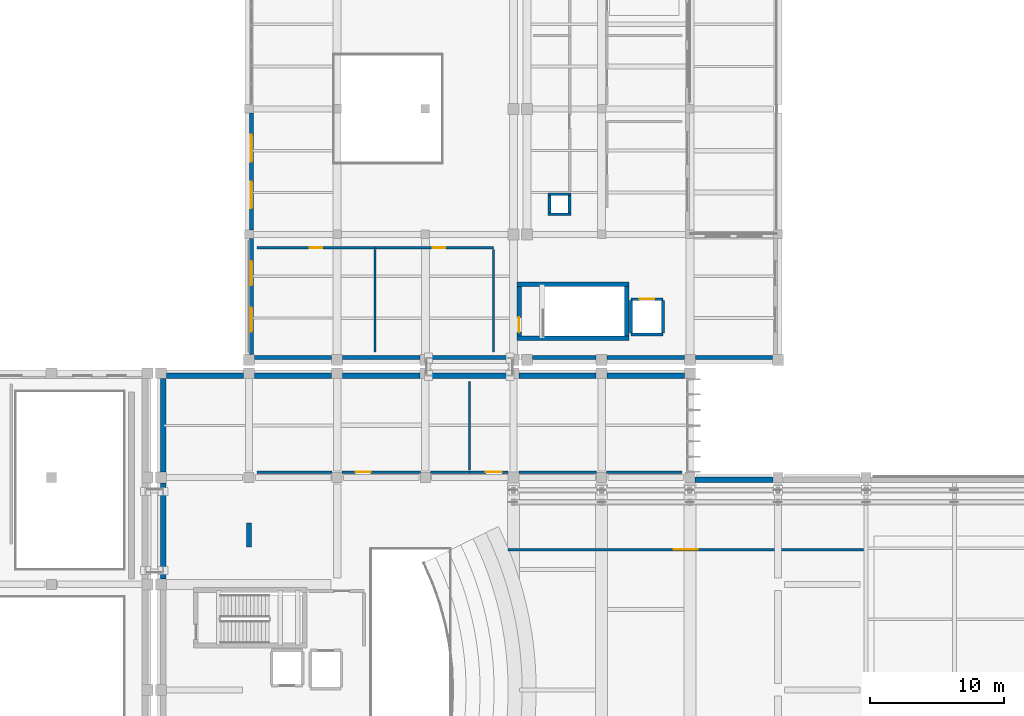
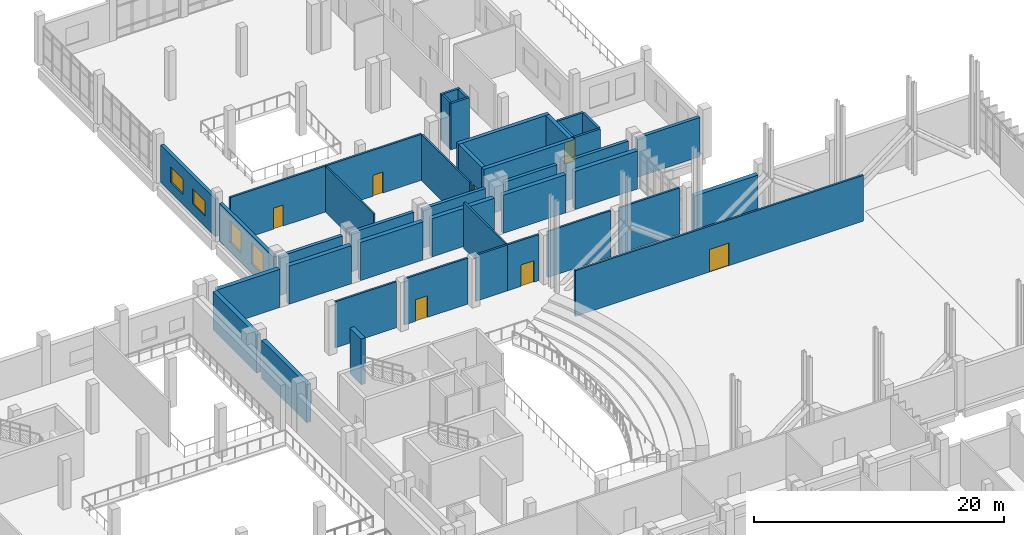
# One storey, part 55 of 73: 42 walls, 7 doors, 4 windows, 11 openings.
"""IFC4 building model written with IfcOpenShell, lengths in metres."""

import ifcopenshell
import ifcopenshell.guid

model = None  # the IFC model being written
_history = None  # IfcOwnerHistory: only IFC2X3 demands one
_inside = {}  # id of a spatial element -> (the spatial element, [elements in it])
_under = {}  # id of a project, library or spatial element -> (it, [spatial elements below it])
_declared = {}  # id of a project -> (the project, [libraries it declares])
_typed = {}  # id of a type object -> (the type object, [elements of that type])
_made_of = {}  # id of a material, layer set ... -> (it, [elements and type objects made of it])


def new_model(schema):
    """Start an empty IFC model of exactly this schema.

    Asked for "IFC4X3", IfcOpenShell would pick the latest addendum, in which some entities
    have other attributes; the version numbers below select the first issue.
    IFC2X3 requires an IfcOwnerHistory on every rooted entity: one is made here for all.
    """
    global model, _history
    if schema == "IFC4X3":
        model = ifcopenshell.file(schema_version=(4, 3, 0, 0))
    else:
        model = ifcopenshell.file(schema=schema)
    _inside.clear()
    _under.clear()
    _declared.clear()
    _typed.clear()
    _made_of.clear()
    _history = None
    if model.schema == "IFC2X3":
        org = make("IfcOrganization", Name="unknown")
        user = make(
            "IfcPersonAndOrganization",
            ThePerson=make("IfcPerson", FamilyName="unknown"),
            TheOrganization=org,
        )
        app = make(
            "IfcApplication",
            ApplicationDeveloper=org,
            Version="unknown",
            ApplicationFullName="unknown",
            ApplicationIdentifier="unknown",
        )
        _history = make(
            "IfcOwnerHistory",
            OwningUser=user,
            OwningApplication=app,
            ChangeAction="ADDED",
            CreationDate=0,
        )
    return model


def make(cls, **values):
    """One entity of the class cls with the attributes given. An attribute that is None is left unset."""
    return model.create_entity(
        cls, **{name: value for name, value in values.items() if value is not None}
    )


def rooted(cls, **values):
    """An entity with a GlobalId (a new one), such as an element, a storey or a relation."""
    return make(cls, GlobalId=ifcopenshell.guid.new(), OwnerHistory=_history, **values)


def si_unit(unit_type, name, prefix=None):
    """IfcSIUnit, for example si_unit("LENGTHUNIT", "METRE", prefix="MILLI")."""
    return make("IfcSIUnit", UnitType=unit_type, Prefix=prefix, Name=name)


def assignment(units):
    """IfcUnitAssignment: the units of a project."""
    return None if units is None else make("IfcUnitAssignment", Units=units)


def point(xyz):
    """IfcCartesianPoint."""
    return None if xyz is None else make("IfcCartesianPoint", Coordinates=xyz)


def direction(xyz):
    """IfcDirection."""
    return None if xyz is None else make("IfcDirection", DirectionRatios=xyz)


def frame(location, z_axis=None, x_axis=None):
    """IfcAxis2Placement3D, a coordinate frame: its origin and axes. An axis left out is left unset."""
    return make(
        "IfcAxis2Placement3D",
        Location=point(location),
        Axis=direction(z_axis),
        RefDirection=direction(x_axis),
    )


def frame_2d(location, x_axis=None):
    """IfcAxis2Placement2D, a coordinate frame in the plane: its origin and x axis."""
    return make(
        "IfcAxis2Placement2D", Location=point(location), RefDirection=direction(x_axis)
    )


def origin():
    """The frame at (0, 0, 0) with its axes left unset."""
    return frame((0.0, 0.0, 0.0))


def place(relative_to, where):
    """IfcLocalPlacement: puts the frame where relative to a parent placement (None: the world)."""
    return make(
        "IfcLocalPlacement", PlacementRelTo=relative_to, RelativePlacement=where
    )


def context(
    kind, dimensions, precision=None, world=None, true_north=None, identifier=None
):
    """IfcGeometricRepresentationContext, for example the 3D "Model" context."""
    return make(
        "IfcGeometricRepresentationContext",
        ContextIdentifier=identifier,
        ContextType=kind,
        CoordinateSpaceDimension=dimensions,
        Precision=precision,
        WorldCoordinateSystem=world,
        TrueNorth=true_north,
    )


def subcontext(parent, identifier, kind, view, scale=None):
    """IfcGeometricRepresentationSubContext, for example "Body" below "Model"."""
    return make(
        "IfcGeometricRepresentationSubContext",
        ContextIdentifier=identifier,
        ContextType=kind,
        ParentContext=parent,
        TargetScale=scale,
        TargetView=view,
    )


def project(units=None, contexts=None):
    """IfcProject with its units and contexts."""
    return rooted(
        "IfcProject",
        Name="project",
        RepresentationContexts=contexts,
        UnitsInContext=assignment(units),
    )


def spatial(cls, under=None, at=None, **own):
    """A site, building, storey or space (cls), placed at a placement, below another one or the project."""
    s = rooted(cls, ObjectPlacement=at, **own)
    if under is not None:
        _under.setdefault(under.id(), (under, []))[1].append(s)
    return s


def profile(cls, at=None, kind="AREA", **sizes):
    """A parametric profile (cls). Its sizes go by their IFC names, for example OverallWidth=200.0."""
    return make(cls, ProfileType=kind, Position=at, **sizes)


def rectangle(**sizes):
    """IfcRectangleProfileDef."""
    return profile("IfcRectangleProfileDef", **sizes)


def extrude(swept, where, along, depth):
    """IfcExtrudedAreaSolid: the profile swept, set in the frame where, extruded along a direction by depth."""
    return make(
        "IfcExtrudedAreaSolid",
        SweptArea=swept,
        Position=where,
        ExtrudedDirection=direction(along),
        Depth=depth,
    )


def shape(context_of_items, identifier, shape_type, items):
    """IfcShapeRepresentation: the items that make up one representation, for example the "Body"."""
    return make(
        "IfcShapeRepresentation",
        ContextOfItems=context_of_items,
        RepresentationIdentifier=identifier,
        RepresentationType=shape_type,
        Items=items,
    )


def material(Name=None, Category=None):
    """IfcMaterial."""
    return make("IfcMaterial", Name=Name, Category=Category)


def layer(
    of_material, thickness, ventilated=None, Name=None, Category=None, Priority=None
):
    """IfcMaterialLayer: one layer of a wall or slab, of a material (None: an air gap)."""
    return make(
        "IfcMaterialLayer",
        Material=of_material,
        LayerThickness=thickness,
        IsVentilated=ventilated,
        Name=Name,
        Category=Category,
        Priority=Priority,
    )


def layer_set(layers, Name=None):
    """IfcMaterialLayerSet."""
    return make("IfcMaterialLayerSet", MaterialLayers=layers, LayerSetName=Name)


def made_of(thing, what):
    """Note that an element or type object is made of a material, layer set ...; save() writes the relation."""
    if what is not None:
        _made_of.setdefault(what.id(), (what, []))[1].append(thing)
    return thing


def type_object(cls, material=None, **own):
    """A type object (cls), such as IfcWallType, which elements share."""
    return made_of(rooted(cls, **own), material)


def element(
    cls,
    number,
    at=None,
    inside=None,
    cuts=None,
    type_object=None,
    material=None,
    context=None,
    identifier="Body",
    shape_type=None,
    held_by="IfcProductDefinitionShape",
    body=None,
    shapes=None,
    **own,
):
    """One element of the class cls, such as IfcWall. Its Tag is "e" and its number.

    at: its placement. inside: the storey or other place that contains it. cuts: it is an
    opening in that element (IfcRelVoidsElement). A single representation is given by context,
    identifier, shape_type and body (its items); several are given by shapes. held_by: the class
    of the entity that holds the representations. save() writes the other relations.
    """
    e = rooted(cls, Tag="e%d" % number, ObjectPlacement=at, **own)
    if body is not None:
        shapes = [shape(context, identifier, shape_type, body)]
    if shapes is not None:
        e.Representation = make(held_by, Representations=shapes)
    if inside is not None:
        _inside.setdefault(inside.id(), (inside, []))[1].append(e)
    if cuts is not None:
        rooted(
            "IfcRelVoidsElement", RelatingBuildingElement=cuts, RelatedOpeningElement=e
        )
    if type_object is not None:
        _typed.setdefault(type_object.id(), (type_object, []))[1].append(e)
    return made_of(e, material)


def fill(opening, filler):
    """IfcRelFillsElement: the door or window that sits in an opening."""
    return rooted(
        "IfcRelFillsElement",
        RelatingOpeningElement=opening,
        RelatedBuildingElement=filler,
    )


def aggregate(whole, parts):
    """IfcRelAggregates: a whole, such as a stair, and the parts it consists of."""
    return rooted("IfcRelAggregates", RelatingObject=whole, RelatedObjects=parts)


def save(model, path):
    """Write the relations noted so far, then the file.

    IfcRelAggregates (storeys below a building ...), IfcRelContainedInSpatialStructure (elements
    in a storey), IfcRelDefinesByType, IfcRelAssociatesMaterial and IfcRelDeclares: one each for
    every whole, place, type object, material and project.
    """
    for whole, parts in _under.values():
        aggregate(whole, parts)
    for where, things in _inside.values():
        rooted(
            "IfcRelContainedInSpatialStructure",
            RelatedElements=things,
            RelatingStructure=where,
        )
    for kind, things in _typed.values():
        rooted("IfcRelDefinesByType", RelatedObjects=things, RelatingType=kind)
    for what, things in _made_of.values():
        rooted("IfcRelAssociatesMaterial", RelatedObjects=things, RelatingMaterial=what)
    for by, libraries in _declared.values():
        rooted("IfcRelDeclares", RelatingContext=by, RelatedDefinitions=libraries)
    model.write(path)


model = new_model("IFC4")

# Units and contexts
model_context = context("Model", 3, precision=1e-05, world=origin(), true_north=direction((0.0, 1.0)))
body_context = subcontext(model_context, "Body", "Model", "MODEL_VIEW")
ifc_project = project(units=[si_unit("LENGTHUNIT", "METRE"), si_unit("AREAUNIT", "SQUARE_METRE"), si_unit("VOLUMEUNIT", "CUBIC_METRE"), si_unit("PLANEANGLEUNIT", "RADIAN"), si_unit("MASSUNIT", "GRAM", prefix="KILO")], contexts=[model_context])

# Site, building, storey
site_placement = place(None, origin())
site = spatial("IfcSite", under=ifc_project, at=site_placement, CompositionType="ELEMENT")
building_placement = place(site_placement, origin())
building = spatial("IfcBuilding", under=site, at=building_placement, Name="Kelarvand Opera House", CompositionType="ELEMENT")
storey_placement = place(building_placement, frame((0.0, 0.0, 10.199951171875)))
storey = spatial("IfcBuildingStorey", under=building, at=storey_placement, Name="L02", CompositionType="ELEMENT", Elevation=10.199951171875)

# Walls
ifc_material_1 = material(Name="Concrete C35/45", Category="concrete")
ifc_layer_1 = layer(ifc_material_1, 0.39990234375, Name="Concrete C35/45", Category="concrete")
ifc_layer_set_1 = layer_set([ifc_layer_1], Name="Concrete C35/45")
wall_type_1 = type_object("IfcWallType", Name="Acoustic Brick-Travertine Double Wall 400", PredefinedType="SOLIDWALL", material=ifc_layer_set_1)
wall_1_placement = place(storey_placement, frame((89.179931640625, 70.81005859375, 0.0), z_axis=(0.0, 0.0, 1.0), x_axis=(0.0, 1.0, 0.0)))
element("IfcWall", 1, at=wall_1_placement, inside=storey, type_object=wall_type_1, Name="V1 L02 Exterior Wall EW-400 (115)", PredefinedType="SOLIDWALL", context=body_context, shape_type="SweptSolid", body=[
    extrude(rectangle(XDim=7.179931640625, YDim=0.39990234375, at=frame_2d((3.58984375, 0.0))), origin(), (0.0, 0.0, 1.0), 3.72216796875),
])
wall_2_placement = place(storey_placement, frame((89.179931640625, 78.81005859375, 0.0), z_axis=(0.0, 0.0, 1.0), x_axis=(0.0, 1.0, 0.0)))
element("IfcWall", 2, at=wall_2_placement, inside=storey, type_object=wall_type_1, Name="V1 L02 Exterior Wall EW-400 (116)", PredefinedType="SOLIDWALL", context=body_context, shape_type="SweptSolid", body=[
    extrude(rectangle(XDim=6.97998046875, YDim=0.39990234375, at=frame_2d((3.489990234375, 0.0))), origin(), (0.0, 0.0, 1.0), 3.72216796875),
])
for number, where, z_axis, x_axis, name in (
    (3, (89.409912109375, 86.02001953125, 0.0), (0.0, 0.0, 1.0), (1.0, 0.0, 0.0), "V1 L02 Exterior Wall EW-400 (117)"),
    (4, (96.010009765625, 86.02001953125, 0.0), (0.0, 0.0, 1.0), (1.0, 0.0, 0.0), "V1 L02 Exterior Wall EW-400 (118)"),
):
    element("IfcWall", number, at=place(storey_placement, frame(where, z_axis=z_axis, x_axis=x_axis)), inside=storey, type_object=wall_type_1, Name=name, PredefinedType="SOLIDWALL", context=body_context, shape_type="SweptSolid", body=[
        extrude(rectangle(XDim=5.780029296875, YDim=0.39990234375, at=frame_2d((2.89013671875, 0.0))), origin(), (0.0, 0.0, 1.0), 3.72216796875),
    ])
wall_3_placement = place(storey_placement, frame((102.610107421875, 86.02001953125, 0.0), z_axis=(0.0, 0.0, 1.0), x_axis=(1.0, 0.0, 0.0)))
element("IfcWall", 5, at=wall_3_placement, inside=storey, type_object=wall_type_1, Name="V1 L02 Exterior Wall EW-400 (119)", PredefinedType="SOLIDWALL", context=body_context, shape_type="SweptSolid", body=[
    extrude(rectangle(XDim=5.77978515625, YDim=0.39990234375, at=frame_2d((2.889892578125, 0.0))), origin(), (0.0, 0.0, 1.0), 3.72216796875),
])
for number, where, z_axis, x_axis, name in (
    (6, (109.2099609375, 86.02001953125, 0.0), (0.0, 0.0, 1.0), (1.0, 0.0, 0.0), "V1 L02 Exterior Wall EW-400 (120)"),
    (7, (115.81005859375, 86.02001953125, 0.0), (0.0, 0.0, 1.0), (1.0, 0.0, 0.0), "V1 L02 Exterior Wall EW-400 (121)"),
    (8, (122.409912109375, 86.02001953125, 0.0), (0.0, 0.0, 1.0), (1.0, 0.0, 0.0), "V1 L02 Exterior Wall EW-400 (122)"),
):
    element("IfcWall", number, at=place(storey_placement, frame(where, z_axis=z_axis, x_axis=x_axis)), inside=storey, type_object=wall_type_1, Name=name, PredefinedType="SOLIDWALL", context=body_context, shape_type="SweptSolid", body=[
        extrude(rectangle(XDim=5.780029296875, YDim=0.39990234375, at=frame_2d((2.89013671875, 0.0))), origin(), (0.0, 0.0, 1.0), 3.72216796875),
    ])
wall_4_placement = place(storey_placement, frame((128.97509765625, 78.219970703125, 0.0), z_axis=(0.0, 0.0, 1.0), x_axis=(1.0, 0.0, 0.0)))
element("IfcWall", 9, at=wall_4_placement, inside=storey, type_object=wall_type_1, Name="V1 L02 Exterior Wall EW-400 (123)", PredefinedType="SOLIDWALL", context=body_context, shape_type="SweptSolid", body=[
    extrude(rectangle(XDim=5.849853515625, YDim=0.39990234375, at=frame_2d((2.9248046875, 0.0))), origin(), (0.0, 0.0, 1.0), 3.77197265625),
])
ifc_material_2 = material(Name="Acoustic double-stud gypsum partition")
ifc_layer_2 = layer(ifc_material_2, 0.14990234375, Name="Acoustic double-stud gypsum partition")
ifc_layer_set_2 = layer_set([ifc_layer_2], Name="Acoustic double-stud gypsum partition")
wall_type_2 = type_object("IfcWallType", Name="Acoustic Room Partition Wall 150", PredefinedType="PARTITIONING", material=ifc_layer_set_2)
wall_5_placement = place(storey_placement, frame((112.10009765625, 78.93994140625, 0.0), z_axis=(0.0, 0.0, 1.0), x_axis=(0.0, 1.0, 0.0)))
element("IfcWall", 10, at=wall_5_placement, inside=storey, type_object=wall_type_2, Name="V1 L02 Partition Wall IW-150 (487)", PredefinedType="PARTITIONING", context=body_context, shape_type="SweptSolid", body=[
    extrude(rectangle(XDim=6.66015625, YDim=0.14990234375, at=frame_2d((3.330078125, 0.0))), origin(), (0.0, 0.0, 1.0), 4.491943359375),
])
for number, where, z_axis, x_axis, name in (
    (11, (105.050048828125, 87.800048828125, 0.0), (0.0, 0.0, 1.0), (0.0, 1.0, 0.0), "V5 L02 Partition Wall IW-150 (526)"),
    (12, (113.89990234375, 87.800048828125, 0.0), (0.0, 0.0, 1.0), (0.0, 1.0, 0.0), "V5 L02 Partition Wall IW-150 (527)"),
):
    element("IfcWall", number, at=place(storey_placement, frame(where, z_axis=z_axis, x_axis=x_axis)), inside=storey, type_object=wall_type_2, Name=name, PredefinedType="PARTITIONING", context=body_context, shape_type="SweptSolid", body=[
        extrude(rectangle(XDim=7.659912109375, YDim=0.14990234375, at=frame_2d((3.830078125, 0.0))), origin(), (0.0, 0.0, 1.0), 4.491943359375),
    ])
ifc_material_3 = material(Name="Concrete C40/50", Category="concrete")
ifc_layer_3 = layer(ifc_material_3, 0.35009765625, Name="Concrete C40/50", Category="concrete")
ifc_layer_set_3 = layer_set([ifc_layer_3], Name="Concrete C40/50")
wall_type_3 = type_object("IfcWallType", Name="Core Stair and Lift Shear Wall 350", PredefinedType="SHEAR", material=ifc_layer_set_3)
for number, where, z_axis, x_axis, name in (
    (13, (115.64990234375, 88.824951171875, 0.0), (0.0, 0.0, 1.0), (1.0, 0.0, 0.0), "C7 Stair Core Shear Wall S L02"),
    (14, (124.050048828125, 92.875, 0.0), (0.0, 0.0, 1.0), (-1.0, 0.0, 0.0), "C7 Stair Core Shear Wall N L02"),
):
    element("IfcWall", number, at=place(storey_placement, frame(where, z_axis=z_axis, x_axis=x_axis)), inside=storey, type_object=wall_type_3, Name=name, PredefinedType="SHEAR", context=body_context, shape_type="SweptSolid", body=[
        extrude(rectangle(XDim=8.400146484375, YDim=0.35009765625, at=frame_2d((4.2001953125, 0.0))), origin(), (0.0, 0.0, 1.0), 4.580078125),
    ])

# Wall, opening, door
wall_6_placement = place(storey_placement, frame((115.824951171875, 89.0, 0.0), z_axis=(0.0, 0.0, 1.0), x_axis=(0.0, 1.0, 0.0)))
wall_6 = element("IfcWall", 15, at=wall_6_placement, inside=storey, type_object=wall_type_3, Name="C7 Stair Core Shear Wall W L02", PredefinedType="SHEAR", context=body_context, shape_type="SweptSolid", body=[
    extrude(rectangle(XDim=3.699951171875, YDim=0.35009765625, at=frame_2d((1.85009765625, 0.0))), origin(), (0.0, 0.0, 1.0), 4.580078125),
])
opening_1_placement = place(wall_6_placement, frame((0.280029296875, 0.0, 0.0)))
opening_1 = element("IfcOpeningElement", 16, at=opening_1_placement, cuts=wall_6, Name="Opening FD-01", PredefinedType="OPENING", context=body_context, shape_type="SweptSolid", body=[
    extrude(rectangle(XDim=1.10009765625, YDim=2.080078125, at=frame_2d((0.550048828125, 1.0400390625))), frame((0.0, 0.18505859375, 0.0), z_axis=(0.0, -1.0, 0.0), x_axis=(1.0, 0.0, 0.0)), (0.0, 0.0, 1.0), 0.3701171875),
])
ifc_material_4 = material(Name="Fire-rated brushed stainless steel", Category="steel")
door_type_1 = type_object("IfcDoorType", Name="Steel Fire-Rated Stair and FF Lobby Door 1100x2080", OperationType="NOTDEFINED", PredefinedType="DOOR", material=ifc_material_4)
door_1_placement = place(opening_1_placement, origin())
door_1 = element("IfcDoor", 17, at=door_1_placement, inside=storey, type_object=door_type_1, Name="C7 Stair ST-07 Fire Door L02", OperationType="SINGLE_SWING_LEFT", OverallHeight=2.080078125, OverallWidth=1.10009765625, PredefinedType="DOOR", context=body_context, shape_type="SweptSolid", body=[
    extrude(rectangle(XDim=1.10009765625, YDim=2.080078125, at=frame_2d((0.550048828125, 1.0400390625))), frame((0.0, 0.02490234375, 0.0), z_axis=(0.0, -1.0, 0.0), x_axis=(1.0, 0.0, 0.0)), (0.0, 0.0, 1.0), 0.050048828125),
])
fill(opening_1, door_1)

# Wall
wall_7_placement = place(storey_placement, frame((123.875, 92.699951171875, 0.0), z_axis=(0.0, 0.0, 1.0), x_axis=(0.0, -1.0, 0.0)))
element("IfcWall", 18, at=wall_7_placement, inside=storey, type_object=wall_type_3, Name="C7 Stair Core Shear Wall E L02", PredefinedType="SHEAR", context=body_context, shape_type="SweptSolid", body=[
    extrude(rectangle(XDim=3.699951171875, YDim=0.35009765625, at=frame_2d((1.85009765625, 0.0))), origin(), (0.0, 0.0, 1.0), 4.580078125),
])

# Wall, opening, door
ifc_layer_4 = layer(ifc_material_1, 0.179931640625, Name="Concrete C35/45", Category="concrete")
ifc_layer_set_4 = layer_set([ifc_layer_4], Name="Concrete C35/45")
wall_type_4 = type_object("IfcWallType", Name="Corridor Fire-Rated Partition Wall 180 EI90", PredefinedType="PARTITIONING", material=ifc_layer_set_4)
wall_8_placement = place(storey_placement, frame((115.0, 73.0, 0.0), z_axis=(0.0, 0.0, 1.0), x_axis=(1.0, 0.0, 0.0)))
wall_8 = element("IfcWall", 19, at=wall_8_placement, inside=storey, type_object=wall_type_4, Name="V1 L02 Partition Wall IW-90 (474)", PredefinedType="PARTITIONING", context=body_context, shape_type="SweptSolid", body=[
    extrude(rectangle(XDim=26.60009765625, YDim=0.179931640625, at=frame_2d((13.300048828125, 0.0))), origin(), (0.0, 0.0, 1.0), 4.47216796875),
])
opening_2_placement = place(wall_8_placement, frame((12.39990234375, 0.0, 0.0)))
opening_2 = element("IfcOpeningElement", 20, at=opening_2_placement, cuts=wall_8, Name="Opening D-04", PredefinedType="OPENING", context=body_context, shape_type="SweptSolid", body=[
    extrude(rectangle(XDim=1.800048828125, YDim=2.199951171875, at=frame_2d((0.89990234375, 1.10009765625))), frame((0.0, 0.10009765625, 0.0), z_axis=(0.0, -1.0, 0.0), x_axis=(1.0, 0.0, 0.0)), (0.0, 0.0, 1.0), 0.199951171875),
])
ifc_material_5 = material(Name="Acoustic walnut-veneered hardwood", Category="wood")
door_type_2 = type_object("IfcDoorType", Name="Auditorium Acoustic Sound-Lock Double Door 1800x2200", OperationType="NOTDEFINED", PredefinedType="DOOR", material=ifc_material_5)
door_2_placement = place(opening_2_placement, origin())
door_2 = element("IfcDoor", 21, at=door_2_placement, inside=storey, type_object=door_type_2, Name="V1 L02 Door D-04 (208)", OperationType="DOUBLE_DOOR_SINGLE_SWING", OverallHeight=2.199951171875, OverallWidth=1.800048828125, PredefinedType="DOOR", context=body_context, shape_type="SweptSolid", body=[
    extrude(rectangle(XDim=1.800048828125, YDim=2.199951171875, at=frame_2d((0.89990234375, 1.10009765625))), frame((0.0, 0.02490234375, 0.0), z_axis=(0.0, -1.0, 0.0), x_axis=(1.0, 0.0, 0.0)), (0.0, 0.0, 1.0), 0.050048828125),
])
fill(opening_2, door_2)

# Wall
wall_9_placement = place(storey_placement, frame((96.199951171875, 78.800048828125, 0.0), z_axis=(0.0, 0.0, 1.0), x_axis=(1.0, 0.0, 0.0)))
element("IfcWall", 22, at=wall_9_placement, inside=storey, type_object=wall_type_4, Name="V1 L02 Partition Wall IW-90 (484)", PredefinedType="PARTITIONING", context=body_context, shape_type="SweptSolid", body=[
    extrude(rectangle(XDim=5.625, YDim=0.179931640625, at=frame_2d((2.8125, 0.0))), origin(), (0.0, 0.0, 1.0), 4.491943359375),
])

# Wall, opening, door
wall_10_placement = place(storey_placement, frame((102.574951171875, 78.800048828125, 0.0), z_axis=(0.0, 0.0, 1.0), x_axis=(1.0, 0.0, 0.0)))
wall_10 = element("IfcWall", 23, at=wall_10_placement, inside=storey, type_object=wall_type_4, Name="V1 L02 Partition Wall IW-90 (485)", PredefinedType="PARTITIONING", context=body_context, shape_type="SweptSolid", body=[
    extrude(rectangle(XDim=5.85009765625, YDim=0.179931640625, at=frame_2d((2.925048828125, 0.0))), origin(), (0.0, 0.0, 1.0), 4.491943359375),
])
opening_3_placement = place(wall_10_placement, frame((1.014892578125, 0.0, 0.0)))
opening_3 = element("IfcOpeningElement", 24, at=opening_3_placement, cuts=wall_10, Name="Opening D-10", PredefinedType="OPENING", context=body_context, shape_type="SweptSolid", body=[
    extrude(rectangle(XDim=1.1201171875, YDim=2.1201171875, at=frame_2d((0.56005859375, 1.06005859375))), frame((0.0, 0.10009765625, 0.0), z_axis=(0.0, -1.0, 0.0), x_axis=(1.0, 0.0, 0.0)), (0.0, 0.0, 1.0), 0.199951171875),
])
door_type_3 = type_object("IfcDoorType", Name="Chorus Studio Single Door 1120x2120", OperationType="NOTDEFINED", PredefinedType="DOOR", material=ifc_material_5)
door_3_placement = place(opening_3_placement, origin())
door_3 = element("IfcDoor", 25, at=door_3_placement, inside=storey, type_object=door_type_3, Name="V1 L02 Door D-10 (214)", OperationType="SINGLE_SWING_LEFT", OverallHeight=2.1201171875, OverallWidth=1.1201171875, PredefinedType="DOOR", context=body_context, shape_type="SweptSolid", body=[
    extrude(rectangle(XDim=1.1201171875, YDim=2.1201171875, at=frame_2d((0.56005859375, 1.06005859375))), frame((0.0, 0.02490234375, 0.0), z_axis=(0.0, -1.0, 0.0), x_axis=(1.0, 0.0, 0.0)), (0.0, 0.0, 1.0), 0.050048828125),
])
fill(opening_3, door_3)

# Wall
wall_11_placement = place(storey_placement, frame((109.175048828125, 78.800048828125, 0.0), z_axis=(0.0, 0.0, 1.0), x_axis=(1.0, 0.0, 0.0)))
element("IfcWall", 26, at=wall_11_placement, inside=storey, type_object=wall_type_4, Name="V1 L02 Partition Wall IW-90 (486)", PredefinedType="PARTITIONING", context=body_context, shape_type="SweptSolid", body=[
    extrude(rectangle(XDim=2.925048828125, YDim=0.179931640625, at=frame_2d((1.46240234375, 0.0))), origin(), (0.0, 0.0, 1.0), 4.491943359375),
])

# Wall, opening, door
wall_12_placement = place(storey_placement, frame((112.10009765625, 78.800048828125, 0.0), z_axis=(0.0, 0.0, 1.0), x_axis=(1.0, 0.0, 0.0)))
wall_12 = element("IfcWall", 27, at=wall_12_placement, inside=storey, type_object=wall_type_4, Name="V1 L02 Partition Wall IW-90 (488)", PredefinedType="PARTITIONING", context=body_context, shape_type="SweptSolid", body=[
    extrude(rectangle(XDim=2.889892578125, YDim=0.179931640625, at=frame_2d((1.44482421875, 0.0))), origin(), (0.0, 0.0, 1.0), 4.491943359375),
])
opening_4_placement = place(wall_12_placement, frame((1.22802734375, 0.0, 0.0)))
opening_4 = element("IfcOpeningElement", 28, at=opening_4_placement, cuts=wall_12, Name="Opening D-06", PredefinedType="OPENING", context=body_context, shape_type="SweptSolid", body=[
    extrude(rectangle(XDim=1.199951171875, YDim=2.10009765625, at=frame_2d((0.60009765625, 1.050048828125))), frame((0.0, 0.10009765625, 0.0), z_axis=(0.0, -1.0, 0.0), x_axis=(1.0, 0.0, 0.0)), (0.0, 0.0, 1.0), 0.199951171875),
])
door_type_4 = type_object("IfcDoorType", Name="Accessible Suite Timber Door 1200x2100", OperationType="NOTDEFINED", PredefinedType="DOOR", material=ifc_material_5)
door_4_placement = place(opening_4_placement, origin())
door_4 = element("IfcDoor", 29, at=door_4_placement, inside=storey, type_object=door_type_4, Name="V1 L02 Door D-06 (215)", OperationType="SINGLE_SWING_RIGHT", OverallHeight=2.10009765625, OverallWidth=1.199951171875, PredefinedType="DOOR", context=body_context, shape_type="SweptSolid", body=[
    extrude(rectangle(XDim=1.199951171875, YDim=2.10009765625, at=frame_2d((0.60009765625, 1.050048828125))), frame((0.0, 0.02490234375, 0.0), z_axis=(0.0, -1.0, 0.0), x_axis=(1.0, 0.0, 0.0)), (0.0, 0.0, 1.0), 0.050048828125),
])
fill(opening_4, door_4)

# Walls
wall_13_placement = place(storey_placement, frame((115.81005859375, 78.800048828125, 0.0), z_axis=(0.0, 0.0, 1.0), x_axis=(1.0, 0.0, 0.0)))
element("IfcWall", 30, at=wall_13_placement, inside=storey, type_object=wall_type_4, Name="V1 L02 Partition Wall IW-90 (489)", PredefinedType="PARTITIONING", context=body_context, shape_type="SweptSolid", body=[
    extrude(rectangle(XDim=5.81494140625, YDim=0.179931640625, at=frame_2d((2.907470703125, 0.0))), origin(), (0.0, 0.0, 1.0), 4.491943359375),
])
wall_14_placement = place(storey_placement, frame((122.375, 78.800048828125, 0.0), z_axis=(0.0, 0.0, 1.0), x_axis=(1.0, 0.0, 0.0)))
element("IfcWall", 31, at=wall_14_placement, inside=storey, type_object=wall_type_4, Name="V1 L02 Partition Wall IW-90 (490)", PredefinedType="PARTITIONING", context=body_context, shape_type="SweptSolid", body=[
    extrude(rectangle(XDim=5.625, YDim=0.179931640625, at=frame_2d((2.8125, 0.0))), origin(), (0.0, 0.0, 1.0), 4.491943359375),
])

# Wall, opening, door
wall_15_placement = place(storey_placement, frame((96.199951171875, 95.60009765625, 0.0), z_axis=(0.0, 0.0, 1.0), x_axis=(1.0, 0.0, 0.0)))
wall_15 = element("IfcWall", 32, at=wall_15_placement, inside=storey, type_object=wall_type_4, Name="V5 L02 Partition Wall IW-90 (525)", PredefinedType="PARTITIONING", context=body_context, shape_type="SweptSolid", body=[
    extrude(rectangle(XDim=8.85009765625, YDim=0.179931640625, at=frame_2d((4.425048828125, 0.0))), origin(), (0.0, 0.0, 1.0), 4.491943359375),
])
opening_5_placement = place(wall_15_placement, frame((3.965087890625, 0.0, 0.0)))
opening_5 = element("IfcOpeningElement", 33, at=opening_5_placement, cuts=wall_15, Name="Opening D-01", PredefinedType="OPENING", context=body_context, shape_type="SweptSolid", body=[
    extrude(rectangle(XDim=0.919921875, YDim=2.050048828125, at=frame_2d((0.4599609375, 1.02490234375))), frame((0.0, 0.10009765625, 0.0), z_axis=(0.0, -1.0, 0.0), x_axis=(1.0, 0.0, 0.0)), (0.0, 0.0, 1.0), 0.199951171875),
])
door_type_5 = type_object("IfcDoorType", Name="Solid Timber Dressing and WC Door 920x2050", OperationType="NOTDEFINED", PredefinedType="DOOR", material=ifc_material_5)
door_5_placement = place(opening_5_placement, origin())
door_5 = element("IfcDoor", 34, at=door_5_placement, inside=storey, type_object=door_type_5, Name="V5 L02 Door D-01 (235)", OperationType="SINGLE_SWING_LEFT", OverallHeight=2.050048828125, OverallWidth=0.919921875, PredefinedType="DOOR", context=body_context, shape_type="SweptSolid", body=[
    extrude(rectangle(XDim=0.919921875, YDim=2.050048828125, at=frame_2d((0.4599609375, 1.02490234375))), frame((0.0, 0.02490234375, 0.0), z_axis=(0.0, -1.0, 0.0), x_axis=(1.0, 0.0, 0.0)), (0.0, 0.0, 1.0), 0.050048828125),
])
fill(opening_5, door_5)

wall_16_placement = place(storey_placement, frame((105.050048828125, 95.60009765625, 0.0), z_axis=(0.0, 0.0, 1.0), x_axis=(1.0, 0.0, 0.0)))
wall_16 = element("IfcWall", 35, at=wall_16_placement, inside=storey, type_object=wall_type_4, Name="V5 L02 Partition Wall IW-90 (528)", PredefinedType="PARTITIONING", context=body_context, shape_type="SweptSolid", body=[
    extrude(rectangle(XDim=8.849853515625, YDim=0.179931640625, at=frame_2d((4.4248046875, 0.0))), origin(), (0.0, 0.0, 1.0), 4.491943359375),
])
opening_6_placement = place(wall_16_placement, frame((4.318115234375, 0.0, 0.0)))
opening_6 = element("IfcOpeningElement", 36, at=opening_6_placement, cuts=wall_16, Name="Opening D-01", PredefinedType="OPENING", context=body_context, shape_type="SweptSolid", body=[
    extrude(rectangle(XDim=0.919921875, YDim=2.050048828125, at=frame_2d((0.4599609375, 1.02490234375))), frame((0.0, 0.10009765625, 0.0), z_axis=(0.0, -1.0, 0.0), x_axis=(1.0, 0.0, 0.0)), (0.0, 0.0, 1.0), 0.199951171875),
])
door_6_placement = place(opening_6_placement, origin())
door_6 = element("IfcDoor", 37, at=door_6_placement, inside=storey, type_object=door_type_5, Name="V5 L02 Door D-01 (236)", OperationType="SINGLE_SWING_RIGHT", OverallHeight=2.050048828125, OverallWidth=0.919921875, PredefinedType="DOOR", context=body_context, shape_type="SweptSolid", body=[
    extrude(rectangle(XDim=0.919921875, YDim=2.050048828125, at=frame_2d((0.4599609375, 1.02490234375))), frame((0.0, 0.02490234375, 0.0), z_axis=(0.0, -1.0, 0.0), x_axis=(1.0, 0.0, 0.0)), (0.0, 0.0, 1.0), 0.050048828125),
])
fill(opening_6, door_6)

# Walls
ifc_layer_5 = layer(ifc_material_1, 0.300048828125, Name="Concrete C35/45", Category="concrete")
ifc_layer_set_5 = layer_set([ifc_layer_5], Name="Concrete C35/45")
wall_type_5 = type_object("IfcWallType", Name="Insulated Buff Brick Facade Wall 300", PredefinedType="SOLIDWALL", material=ifc_layer_set_5)
for number, where, z_axis, x_axis, name in (
    (38, (134.7900390625, 87.3798828125, 0.0), (0.0, 0.0, 1.0), (-1.0, 0.0, 0.0), "V5 L02 Exterior Wall EW-300 (619)"),
    (39, (128.18994140625, 87.3798828125, 0.0), (0.0, 0.0, 1.0), (-1.0, 0.0, 0.0), "V5 L02 Exterior Wall EW-300 (620)"),
):
    element("IfcWall", number, at=place(storey_placement, frame(where, z_axis=z_axis, x_axis=x_axis)), inside=storey, type_object=wall_type_5, Name=name, PredefinedType="SOLIDWALL", context=body_context, shape_type="SweptSolid", body=[
        extrude(rectangle(XDim=5.780029296875, YDim=0.300048828125, at=frame_2d((2.89013671875, 0.0))), origin(), (0.0, 0.0, 1.0), 3.822021484375),
    ])
wall_17_placement = place(storey_placement, frame((121.590087890625, 87.3798828125, 0.0), z_axis=(0.0, 0.0, 1.0), x_axis=(-1.0, 0.0, 0.0)))
element("IfcWall", 40, at=wall_17_placement, inside=storey, type_object=wall_type_5, Name="V5 L02 Exterior Wall EW-300 (621)", PredefinedType="SOLIDWALL", context=body_context, shape_type="SweptSolid", body=[
    extrude(rectangle(XDim=4.780029296875, YDim=0.300048828125, at=frame_2d((2.39013671875, 0.0))), origin(), (0.0, 0.0, 1.0), 3.822021484375),
])
wall_18_placement = place(storey_placement, frame((114.989990234375, 87.3798828125, 0.0), z_axis=(0.0, 0.0, 1.0), x_axis=(-1.0, 0.0, 0.0)))
element("IfcWall", 41, at=wall_18_placement, inside=storey, type_object=wall_type_5, Name="V5 L02 Exterior Wall EW-300 (622)", PredefinedType="SOLIDWALL", context=body_context, shape_type="SweptSolid", body=[
    extrude(rectangle(XDim=5.780029296875, YDim=0.300048828125, at=frame_2d((2.89013671875, 0.0))), origin(), (0.0, 0.0, 1.0), 3.822021484375),
])
wall_19_placement = place(storey_placement, frame((108.389892578125, 87.3798828125, 0.0), z_axis=(0.0, 0.0, 1.0), x_axis=(-1.0, 0.0, 0.0)))
element("IfcWall", 42, at=wall_19_placement, inside=storey, type_object=wall_type_5, Name="V5 L02 Exterior Wall EW-300 (623)", PredefinedType="SOLIDWALL", context=body_context, shape_type="SweptSolid", body=[
    extrude(rectangle(XDim=5.77978515625, YDim=0.300048828125, at=frame_2d((2.889892578125, 0.0))), origin(), (0.0, 0.0, 1.0), 3.822021484375),
])
wall_20_placement = place(storey_placement, frame((101.7900390625, 87.3798828125, 0.0), z_axis=(0.0, 0.0, 1.0), x_axis=(-1.0, 0.0, 0.0)))
element("IfcWall", 43, at=wall_20_placement, inside=storey, type_object=wall_type_5, Name="V5 L02 Exterior Wall EW-300 (624)", PredefinedType="SOLIDWALL", context=body_context, shape_type="SweptSolid", body=[
    extrude(rectangle(XDim=5.780029296875, YDim=0.300048828125, at=frame_2d((2.89013671875, 0.0))), origin(), (0.0, 0.0, 1.0), 3.822021484375),
])

# Wall, openings, windows
wall_21_placement = place(storey_placement, frame((95.780029296875, 87.610107421875, 0.0), z_axis=(0.0, 0.0, 1.0), x_axis=(0.0, 1.0, 0.0)))
wall_21 = element("IfcWall", 44, at=wall_21_placement, inside=storey, type_object=wall_type_5, Name="V5 L02 Exterior Wall EW-300 (625)", PredefinedType="SOLIDWALL", context=body_context, shape_type="SweptSolid", body=[
    extrude(rectangle(XDim=8.664794921875, YDim=0.300048828125, at=frame_2d((4.33251953125, 0.0))), origin(), (0.0, 0.0, 1.0), 3.672119140625),
])
opening_7_placement = place(wall_21_placement, frame((1.699951171875, 0.0, 0.89990234375)))
opening_7 = element("IfcOpeningElement", 45, at=opening_7_placement, cuts=wall_21, Name="Opening WN-05", PredefinedType="OPENING", context=body_context, shape_type="SweptSolid", body=[
    extrude(rectangle(XDim=1.800048828125, YDim=2.10009765625, at=frame_2d((0.89990234375, 1.050048828125))), frame((0.0, 0.16015625, 0.0), z_axis=(0.0, -1.0, 0.0), x_axis=(1.0, 0.0, 0.0)), (0.0, 0.0, 1.0), 0.320068359375),
])
opening_8_placement = place(wall_21_placement, frame((5.166015625, 0.0, 0.89990234375)))
opening_8 = element("IfcOpeningElement", 46, at=opening_8_placement, cuts=wall_21, Name="Opening WN-05", PredefinedType="OPENING", context=body_context, shape_type="SweptSolid", body=[
    extrude(rectangle(XDim=1.800048828125, YDim=2.10009765625, at=frame_2d((0.89990234375, 1.050048828125))), frame((0.0, 0.16015625, 0.0), z_axis=(0.0, -1.0, 0.0), x_axis=(1.0, 0.0, 0.0)), (0.0, 0.0, 1.0), 0.320068359375),
])
ifc_material_6 = material(Name="Thermally broken aluminium and low-E double glazing", Category="aluminium")
window_type_1 = type_object("IfcWindowType", Name="Recessed Aluminium Thermal Window 1800x2100 WN-05", PartitioningType="SINGLE_PANEL", PredefinedType="WINDOW", material=ifc_material_6)
window_1_placement = place(opening_7_placement, origin())
window_1 = element("IfcWindow", 47, at=window_1_placement, inside=storey, type_object=window_type_1, Name="V5 L02 Facade Window WN-05 (294)", OverallHeight=2.10009765625, OverallWidth=1.800048828125, PartitioningType="SINGLE_PANEL", PredefinedType="WINDOW", context=body_context, shape_type="SweptSolid", body=[
    extrude(rectangle(XDim=1.800048828125, YDim=2.10009765625, at=frame_2d((0.89990234375, 1.050048828125))), frame((0.0, 0.030029296875, 0.0), z_axis=(0.0, -1.0, 0.0), x_axis=(1.0, 0.0, 0.0)), (0.0, 0.0, 1.0), 0.06005859375),
])
fill(opening_7, window_1)
window_2_placement = place(opening_8_placement, origin())
window_2 = element("IfcWindow", 48, at=window_2_placement, inside=storey, type_object=window_type_1, Name="V5 L02 Facade Window WN-05 (295)", OverallHeight=2.10009765625, OverallWidth=1.800048828125, PartitioningType="SINGLE_PANEL", PredefinedType="WINDOW", context=body_context, shape_type="SweptSolid", body=[
    extrude(rectangle(XDim=1.800048828125, YDim=2.10009765625, at=frame_2d((0.89990234375, 1.050048828125))), frame((0.0, 0.030029296875, 0.0), z_axis=(0.0, -1.0, 0.0), x_axis=(1.0, 0.0, 0.0)), (0.0, 0.0, 1.0), 0.06005859375),
])
fill(opening_8, window_2)

wall_22_placement = place(storey_placement, frame((95.780029296875, 96.925048828125, 0.0), z_axis=(0.0, 0.0, 1.0), x_axis=(0.0, 1.0, 0.0)))
wall_22 = element("IfcWall", 49, at=wall_22_placement, inside=storey, type_object=wall_type_5, Name="V5 L02 Exterior Wall EW-300 (626)", PredefinedType="SOLIDWALL", context=body_context, shape_type="SweptSolid", body=[
    extrude(rectangle(XDim=8.75, YDim=0.300048828125, at=frame_2d((4.375, 0.0))), origin(), (0.0, 0.0, 1.0), 3.672119140625),
])
opening_9_placement = place(wall_22_placement, frame((1.625, 0.0, 1.0)))
opening_9 = element("IfcOpeningElement", 50, at=opening_9_placement, cuts=wall_22, Name="Opening WN-28", PredefinedType="OPENING", context=body_context, shape_type="SweptSolid", body=[
    extrude(rectangle(XDim=2.0, YDim=1.5, at=frame_2d((1.0, 0.75))), frame((0.0, 0.16015625, 0.0), z_axis=(0.0, -1.0, 0.0), x_axis=(1.0, 0.0, 0.0)), (0.0, 0.0, 1.0), 0.320068359375),
])
opening_10_placement = place(wall_22_placement, frame((5.125, 0.0, 1.0)))
opening_10 = element("IfcOpeningElement", 51, at=opening_10_placement, cuts=wall_22, Name="Opening WN-28", PredefinedType="OPENING", context=body_context, shape_type="SweptSolid", body=[
    extrude(rectangle(XDim=2.0, YDim=1.5, at=frame_2d((1.0, 0.75))), frame((0.0, 0.16015625, 0.0), z_axis=(0.0, -1.0, 0.0), x_axis=(1.0, 0.0, 0.0)), (0.0, 0.0, 1.0), 0.320068359375),
])
window_type_2 = type_object("IfcWindowType", Name="Recessed Aluminium Thermal Window 2000x1500 WN-28", PartitioningType="SINGLE_PANEL", PredefinedType="WINDOW", material=ifc_material_6)
window_3_placement = place(opening_9_placement, origin())
window_3 = element("IfcWindow", 52, at=window_3_placement, inside=storey, type_object=window_type_2, Name="V5 L02 Facade Window WN-28 (296)", OverallHeight=1.5, OverallWidth=2.0, PartitioningType="SINGLE_PANEL", PredefinedType="WINDOW", context=body_context, shape_type="SweptSolid", body=[
    extrude(rectangle(XDim=2.0, YDim=1.5, at=frame_2d((1.0, 0.75))), frame((0.0, 0.030029296875, 0.0), z_axis=(0.0, -1.0, 0.0), x_axis=(1.0, 0.0, 0.0)), (0.0, 0.0, 1.0), 0.06005859375),
])
fill(opening_9, window_3)
window_4_placement = place(opening_10_placement, origin())
window_4 = element("IfcWindow", 53, at=window_4_placement, inside=storey, type_object=window_type_2, Name="V5 L02 Facade Window WN-28 (297)", OverallHeight=1.5, OverallWidth=2.0, PartitioningType="SINGLE_PANEL", PredefinedType="WINDOW", context=body_context, shape_type="SweptSolid", body=[
    extrude(rectangle(XDim=2.0, YDim=1.5, at=frame_2d((1.0, 0.75))), frame((0.0, 0.030029296875, 0.0), z_axis=(0.0, -1.0, 0.0), x_axis=(1.0, 0.0, 0.0)), (0.0, 0.0, 1.0), 0.06005859375),
])
fill(opening_10, window_4)

# Walls
ifc_layer_6 = layer(ifc_material_1, 0.199951171875, Name="Concrete C35/45", Category="concrete")
ifc_layer_set_6 = layer_set([ifc_layer_6], Name="Concrete C35/45")
wall_type_6 = type_object("IfcWallType", Name="Lift and Riser Shaft Enclosure Wall 200 EI120", PredefinedType="PARTITIONING", material=ifc_layer_set_6)
for number, where, z_axis, x_axis, name in (
    (54, (118.0, 98.10009765625, 0.0), (0.0, 0.0, 1.0), (1.0, 0.0, 0.0), "RSR-V5 L02 Riser Shaft Wall 129"),
    (55, (119.699951171875, 99.60009765625, 0.0), (0.0, 0.0, 1.0), (-1.0, 0.0, 0.0), "RSR-V5 L02 Riser Shaft Wall 130"),
):
    element("IfcWall", number, at=place(storey_placement, frame(where, z_axis=z_axis, x_axis=x_axis)), inside=storey, type_object=wall_type_6, Name=name, PredefinedType="PARTITIONING", context=body_context, shape_type="SweptSolid", body=[
        extrude(rectangle(XDim=1.699951171875, YDim=0.199951171875, at=frame_2d((0.85009765625, 0.0))), origin(), (0.0, 0.0, 1.0), 4.5),
    ])
for number, where, z_axis, x_axis, name in (
    (56, (118.10009765625, 98.199951171875, 0.0), (0.0, 0.0, 1.0), (0.0, 1.0, 0.0), "RSR-V5 L02 Riser Shaft Wall 131"),
    (57, (119.60009765625, 99.5, 0.0), (0.0, 0.0, 1.0), (0.0, -1.0, 0.0), "RSR-V5 L02 Riser Shaft Wall 132"),
):
    element("IfcWall", number, at=place(storey_placement, frame(where, z_axis=z_axis, x_axis=x_axis)), inside=storey, type_object=wall_type_6, Name=name, PredefinedType="PARTITIONING", context=body_context, shape_type="SweptSolid", body=[
        extrude(rectangle(XDim=1.300048828125, YDim=0.199951171875, at=frame_2d((0.64990234375, 0.0))), origin(), (0.0, 0.0, 1.0), 4.5),
    ])
wall_23_placement = place(storey_placement, frame((124.199951171875, 89.10009765625, 0.0), z_axis=(0.0, 0.0, 1.0), x_axis=(1.0, 0.0, 0.0)))
element("IfcWall", 58, at=wall_23_placement, inside=storey, type_object=wall_type_6, Name="V5 L02 Partition Wall SW-200 (466)", PredefinedType="PARTITIONING", context=body_context, shape_type="SweptSolid", body=[
    extrude(rectangle(XDim=2.400146484375, YDim=0.199951171875, at=frame_2d((1.2001953125, 0.0))), origin(), (0.0, 0.0, 1.0), 4.491943359375),
])

# Wall, opening, door
wall_24_placement = place(storey_placement, frame((126.60009765625, 91.75, 0.0), z_axis=(0.0, 0.0, 1.0), x_axis=(-1.0, 0.0, 0.0)))
wall_24 = element("IfcWall", 59, at=wall_24_placement, inside=storey, type_object=wall_type_6, Name="V5 L02 Partition Wall SW-200 (467)", PredefinedType="PARTITIONING", context=body_context, shape_type="SweptSolid", body=[
    extrude(rectangle(XDim=2.400146484375, YDim=0.199951171875, at=frame_2d((1.2001953125, 0.0))), origin(), (0.0, 0.0, 1.0), 4.491943359375),
])
opening_11_placement = place(wall_24_placement, frame((0.64990234375, 0.0, 0.0)))
opening_11 = element("IfcOpeningElement", 60, at=opening_11_placement, cuts=wall_24, Name="Opening LD-01", PredefinedType="OPENING", context=body_context, shape_type="SweptSolid", body=[
    extrude(rectangle(XDim=1.10009765625, YDim=2.14990234375, at=frame_2d((0.550048828125, 1.074951171875))), frame((0.0, 0.10986328125, 0.0), z_axis=(0.0, -1.0, 0.0), x_axis=(1.0, 0.0, 0.0)), (0.0, 0.0, 1.0), 0.219970703125),
])
door_type_6 = type_object("IfcDoorType", Name="Passenger Lift Sliding Landing Door 1100x2150", OperationType="SLIDING_TO_LEFT", PredefinedType="DOOR", material=ifc_material_4)
door_7_placement = place(opening_11_placement, origin())
door_7 = element("IfcDoor", 61, at=door_7_placement, inside=storey, type_object=door_type_6, Name="V5 L02 Door LD-01 (206)", OperationType="SLIDING_TO_LEFT", OverallHeight=2.14990234375, OverallWidth=1.10009765625, PredefinedType="DOOR", context=body_context, shape_type="SweptSolid", body=[
    extrude(rectangle(XDim=1.10009765625, YDim=2.14990234375, at=frame_2d((0.550048828125, 1.074951171875))), frame((0.0, 0.02490234375, 0.0), z_axis=(0.0, -1.0, 0.0), x_axis=(1.0, 0.0, 0.0)), (0.0, 0.0, 1.0), 0.050048828125),
])
fill(opening_11, door_7)

# Walls
for number, where, z_axis, x_axis, name in (
    (62, (124.199951171875, 89.199951171875, 0.0), (0.0, 0.0, 1.0), (0.0, 1.0, 0.0), "V5 L02 Partition Wall SW-200 (468)"),
    (63, (126.60009765625, 91.64990234375, 0.0), (0.0, 0.0, 1.0), (0.0, -1.0, 0.0), "V5 L02 Partition Wall SW-200 (469)"),
):
    element("IfcWall", number, at=place(storey_placement, frame(where, z_axis=z_axis, x_axis=x_axis)), inside=storey, type_object=wall_type_6, Name=name, PredefinedType="PARTITIONING", context=body_context, shape_type="SweptSolid", body=[
        extrude(rectangle(XDim=2.449951171875, YDim=0.199951171875, at=frame_2d((1.22509765625, 0.0))), origin(), (0.0, 0.0, 1.0), 4.491943359375),
    ])
ifc_layer_7 = layer(ifc_material_3, 0.39990234375, Name="Concrete C40/50", Category="concrete")
ifc_layer_set_7 = layer_set([ifc_layer_7], Name="Concrete C40/50")
wall_type_7 = type_object("IfcWallType", Name="Seismic Compartment Shear Wall 400", PredefinedType="SHEAR", material=ifc_layer_set_7)
wall_25_placement = place(storey_placement, frame((95.60009765625, 73.199951171875, 0.0), z_axis=(0.0, 0.0, 1.0), x_axis=(0.0, 1.0, 0.0)))
element("IfcWall", 64, at=wall_25_placement, inside=storey, type_object=wall_type_7, Name="V1 Shear Wall CW-120 L02", PredefinedType="SHEAR", context=body_context, shape_type="SweptSolid", body=[
    extrude(rectangle(XDim=1.800048828125, YDim=0.39990234375, at=frame_2d((0.89990234375, 0.0))), origin(), (0.0, 0.0, 1.0), 4.47998046875),
])

save(model, "model.ifc")
